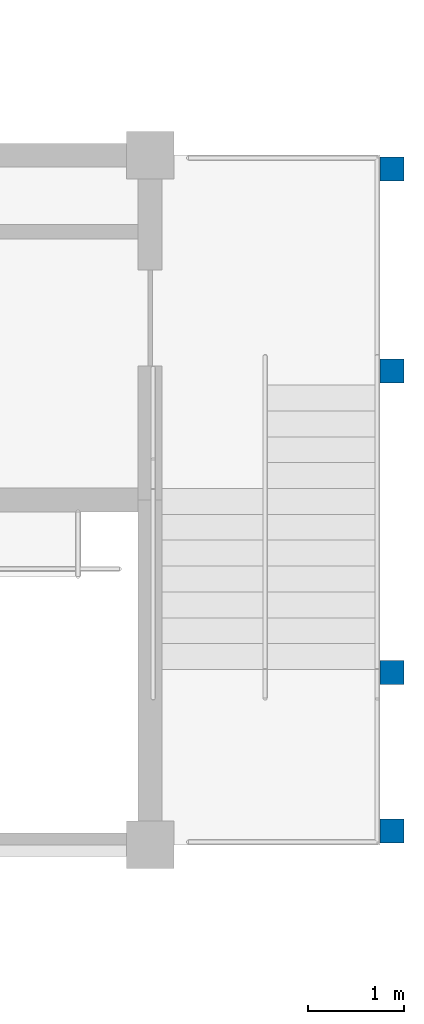
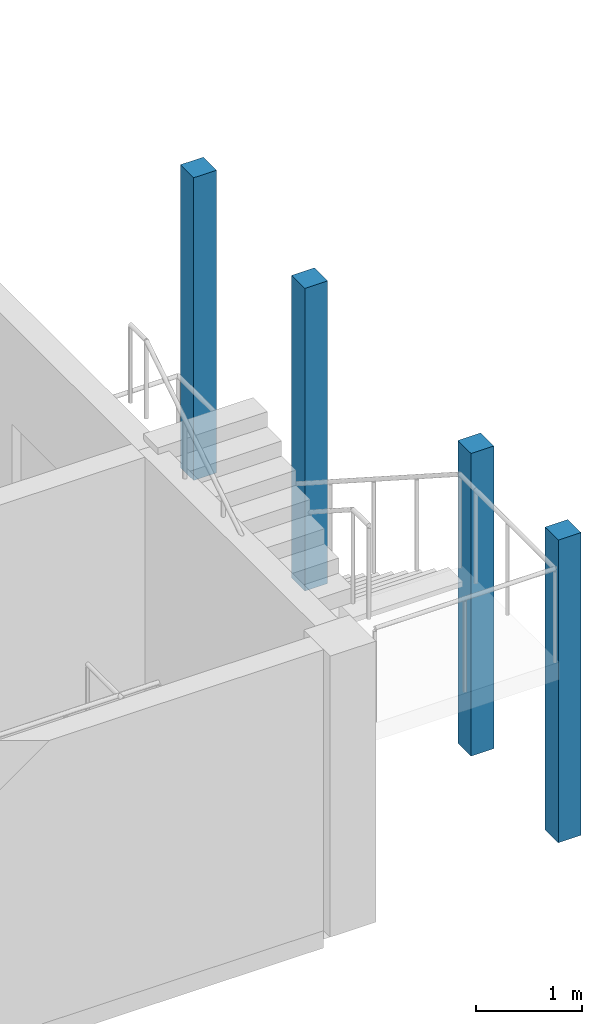
# One storey, part 2 of 47: 4 columns.
"""IFC4 building model written with IfcOpenShell, lengths in metres."""

from ifc_helpers import new_model, si_unit, direction, frame, origin, origin_2d, place, context, subcontext, project, spatial, rectangle, extrude, material, material_profile, profile_set, type_object, element, save


model = new_model("IFC4")

# Units and contexts
model_context = context("Model", 3, precision=1e-05, world=origin(), true_north=direction((0.0, 1.0)))
body_context = subcontext(model_context, "Body", "Model", "MODEL_VIEW")
ifc_project = project(units=[si_unit("LENGTHUNIT", "METRE"), si_unit("AREAUNIT", "SQUARE_METRE"), si_unit("VOLUMEUNIT", "CUBIC_METRE"), si_unit("PLANEANGLEUNIT", "RADIAN"), si_unit("MASSUNIT", "GRAM", prefix="KILO")], contexts=[model_context])

# Site, building, storey
site_placement = place(None, origin())
site = spatial("IfcSite", under=ifc_project, at=site_placement, CompositionType="ELEMENT")
building_placement = place(site_placement, origin())
building = spatial("IfcBuilding", under=site, at=building_placement, Name="Laocheng Heights Fire and Rescue Headquarters", CompositionType="ELEMENT")
storey_placement = place(building_placement, frame((0.0, 0.0, 16.800048828125)))
storey = spatial("IfcBuildingStorey", under=building, at=storey_placement, Name="L04", CompositionType="ELEMENT", Elevation=16.800048828125)

# Columns
ifc_material = material(Name="Concrete C40", Category="concrete")
ifc_material_profile = material_profile(ifc_material, rectangle(XDim=0.25, YDim=0.25, at=origin_2d()), Name="STAIR LANDING POST 250x250")
ifc_profile_set = profile_set([ifc_material_profile], Name="Concrete C40")
column_type = type_object("IfcColumnType", Name="STAIR LANDING POST 250x250", PredefinedType="COLUMN", material=ifc_profile_set)
for number, where, z_axis, x_axis, name in (
    (1, (128.52490234375, 32.945068359375, 0.699951171875), (0.0, 0.0, 1.0), (1.0, 0.0, 0.0), "Stair T2 landing post F6 1"),
    (2, (128.52490234375, 35.054931640625, 0.699951171875), (0.0, 0.0, 1.0), (1.0, 0.0, 0.0), "Stair T2 landing post F6 2"),
    (3, (128.52490234375, 28.14501953125, 0.699951171875), (0.0, 0.0, 1.0), (1.0, 0.0, 0.0), "Stair T2 landing post F6 3"),
    (4, (128.52490234375, 29.796875, 0.699951171875), (0.0, 0.0, 1.0), (1.0, 0.0, 0.0), "Stair T2 landing post F6 4"),
):
    element("IfcColumn", number, at=place(storey_placement, frame(where, z_axis=z_axis, x_axis=x_axis)), inside=storey, type_object=column_type, Name=name, PredefinedType="COLUMN", context=body_context, shape_type="SweptSolid", body=[
        extrude(rectangle(XDim=0.25, YDim=0.25, at=origin_2d()), origin(), (0.0, 0.0, 1.0), 3.5),
    ])

save(model, "model.ifc")
